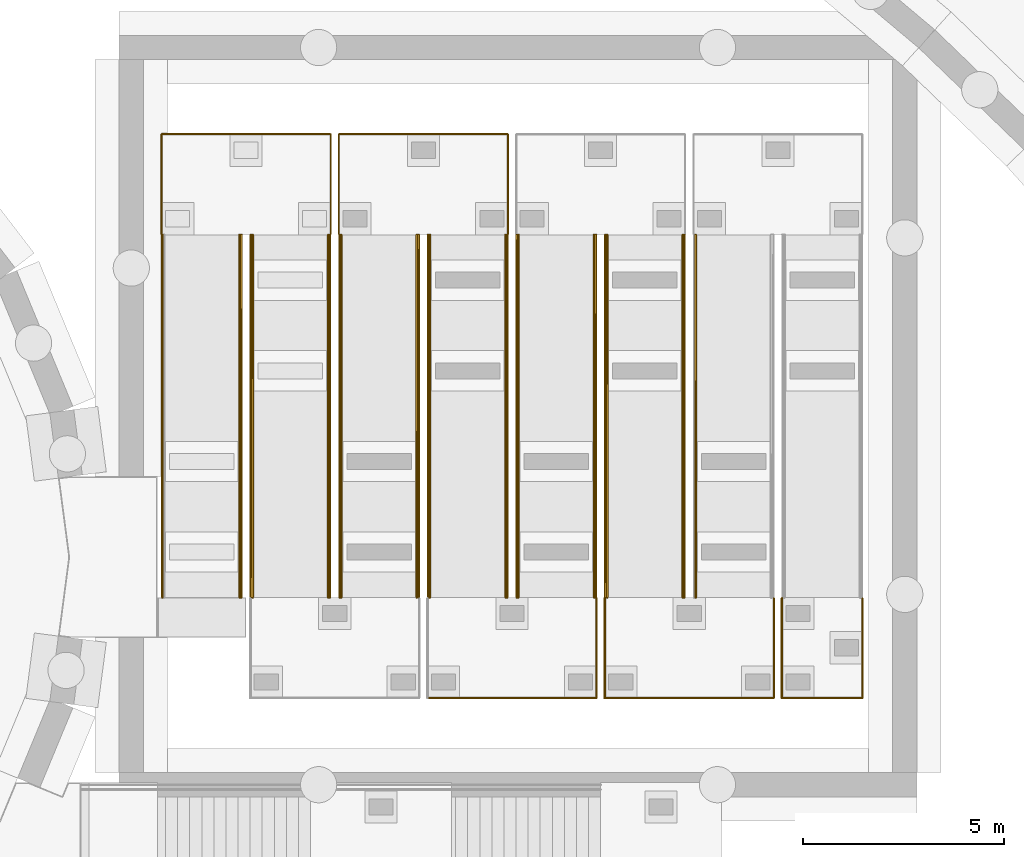
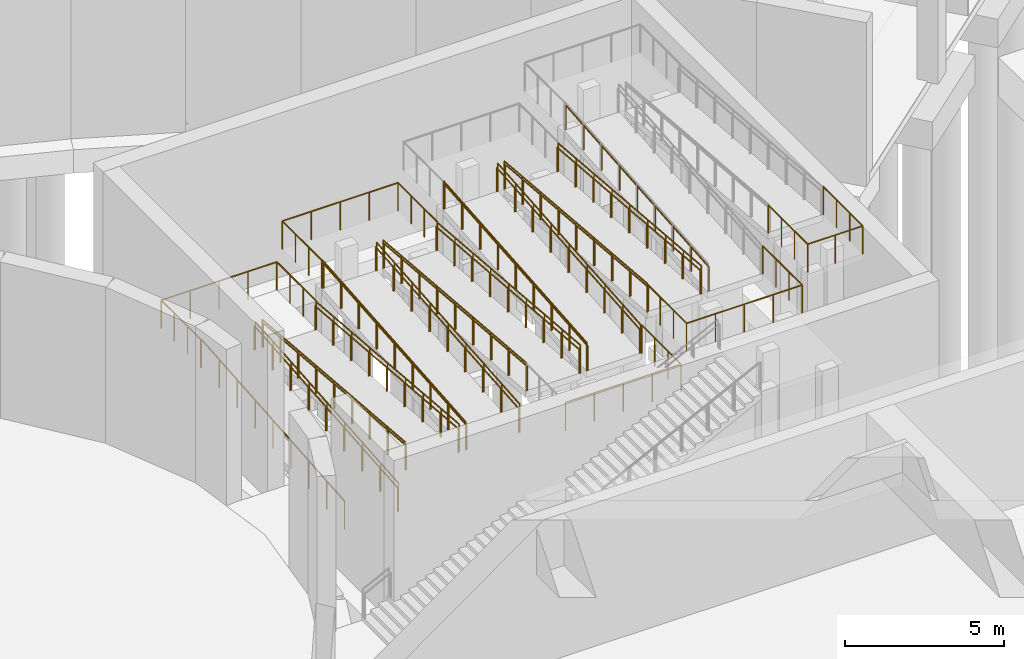
# One storey, part 39 of 66: 31 railings.
"""IFC4 building model written with IfcOpenShell, lengths in metres."""

from ifc_helpers import new_model, si_unit, direction, frame, origin, origin_2d, place, context, subcontext, project, spatial, circle, extrude, material, type_object, element, save


model = new_model("IFC4")

# Units and contexts
model_context = context("Model", 3, precision=1e-05, world=origin(), true_north=direction((0.0, 1.0)))
body_context = subcontext(model_context, "Body", "Model", "MODEL_VIEW")
ifc_project = project(units=[si_unit("LENGTHUNIT", "METRE"), si_unit("AREAUNIT", "SQUARE_METRE"), si_unit("VOLUMEUNIT", "CUBIC_METRE"), si_unit("PLANEANGLEUNIT", "RADIAN"), si_unit("MASSUNIT", "GRAM", prefix="KILO")], contexts=[model_context])

# Site, building, storey
site_placement = place(None, origin())
site = spatial("IfcSite", under=ifc_project, at=site_placement, CompositionType="ELEMENT")
building_placement = place(site_placement, origin())
building = spatial("IfcBuilding", under=site, at=building_placement, Name="Lunette Opera House", CompositionType="ELEMENT")
storey_placement = place(building_placement, frame((0.0, 0.0, -6.0)))
storey = spatial("IfcBuildingStorey", under=building, at=storey_placement, Name="B1", CompositionType="ELEMENT", Elevation=-6.0)

# Railings
ifc_material_1 = material(Name="Steel S355", Category="steel")
railing_type_1 = type_object("IfcRailingType", Name="RAMP GUARD 1100", PredefinedType="GUARDRAIL", material=ifc_material_1)
for number, where, name in (
    (1, (112.02001953125, 25.0, 0.0), "FR1 ramp guard 1"),
    (2, (113.97998046875, 25.0, 0.0), "FR1 ramp guard 2"),
):
    element("IfcRailing", number, at=place(storey_placement, frame(where)), inside=storey, type_object=railing_type_1, Name=name, PredefinedType="GUARDRAIL", context=body_context, shape_type="SweptSolid", body=[
        extrude(circle(Radius=0.02392578125, at=origin_2d()), frame((0.0, 0.0, 1.076171875), z_axis=(0.0, 0.996545758245, 0.083045479854), x_axis=(-1.0, 0.0, 0.0)), (0.0, 0.0, 1.0), 9.03125),
        extrude(circle(Radius=0.02099609375, at=origin_2d()), origin(), (0.0, 0.0, 1.0), 1.052001953125),
        extrude(circle(Radius=0.02099609375, at=origin_2d()), frame((0.0, 1.125, 0.09375)), (0.0, 0.0, 1.0), 1.052001953125),
        extrude(circle(Radius=0.02099609375, at=origin_2d()), frame((0.0, 2.25, 0.1875)), (0.0, 0.0, 1.0), 1.052001953125),
        extrude(circle(Radius=0.02099609375, at=origin_2d()), frame((0.0, 3.375, 0.28125)), (0.0, 0.0, 1.0), 1.052001953125),
        extrude(circle(Radius=0.02099609375, at=origin_2d()), frame((0.0, 4.5, 0.375)), (0.0, 0.0, 1.0), 1.052001953125),
        extrude(circle(Radius=0.02099609375, at=origin_2d()), frame((0.0, 5.625, 0.46875)), (0.0, 0.0, 1.0), 1.052001953125),
        extrude(circle(Radius=0.02099609375, at=origin_2d()), frame((0.0, 6.75, 0.5625)), (0.0, 0.0, 1.0), 1.052001953125),
        extrude(circle(Radius=0.02099609375, at=origin_2d()), frame((0.0, 7.875, 0.65625)), (0.0, 0.0, 1.0), 1.052001953125),
        extrude(circle(Radius=0.02099609375, at=origin_2d()), frame((0.0, 9.0, 0.75)), (0.0, 0.0, 1.0), 1.052001953125),
    ])
railing_1_placement = place(storey_placement, frame((116.199951171875, 34.02001953125, 0.75)))
element("IfcRailing", 3, at=railing_1_placement, inside=storey, type_object=railing_type_1, Name="FR1 landing guard 2", PredefinedType="GUARDRAIL", context=body_context, shape_type="SweptSolid", body=[
    extrude(circle(Radius=0.02392578125, at=origin_2d()), frame((0.0, 0.0, 1.076171875), z_axis=(0.0, 1.0, 0.0), x_axis=(-1.0, 0.0, 0.0)), (0.0, 0.0, 1.0), 2.47998046875),
    extrude(circle(Radius=0.02392578125, at=origin_2d()), frame((0.0, 2.47998046875, 1.076171875), z_axis=(-1.0, 0.0, 0.0), x_axis=(0.0, -1.0, 0.0)), (0.0, 0.0, 1.0), 4.199951171875),
    extrude(circle(Radius=0.02392578125, at=origin_2d()), frame((-4.199951171875, 2.47998046875, 1.076171875), z_axis=(0.0, -1.0, 0.0), x_axis=(1.0, 0.0, 0.0)), (0.0, 0.0, 1.0), 2.47998046875),
    extrude(circle(Radius=0.02099609375, at=origin_2d()), origin(), (0.0, 0.0, 1.0), 1.052001953125),
    extrude(circle(Radius=0.02099609375, at=origin_2d()), frame((0.0, 0.82666015625, 0.0)), (0.0, 0.0, 1.0), 1.052001953125),
    extrude(circle(Radius=0.02099609375, at=origin_2d()), frame((0.0, 1.6533203125, 0.0)), (0.0, 0.0, 1.0), 1.052001953125),
    extrude(circle(Radius=0.02099609375, at=origin_2d()), frame((0.0, 2.47998046875, 0.0)), (0.0, 0.0, 1.0), 1.052001953125),
    extrude(circle(Radius=0.02099609375, at=origin_2d()), frame((-1.050048828125, 2.47998046875, 0.0)), (0.0, 0.0, 1.0), 1.052001953125),
    extrude(circle(Radius=0.02099609375, at=origin_2d()), frame((-2.10009765625, 2.47998046875, 0.0)), (0.0, 0.0, 1.0), 1.052001953125),
    extrude(circle(Radius=0.02099609375, at=origin_2d()), frame((-3.14990234375, 2.47998046875, 0.0)), (0.0, 0.0, 1.0), 1.052001953125),
    extrude(circle(Radius=0.02099609375, at=origin_2d()), frame((-4.199951171875, 2.47998046875, 0.0)), (0.0, 0.0, 1.0), 1.052001953125),
    extrude(circle(Radius=0.02099609375, at=origin_2d()), frame((-4.199951171875, 1.6533203125, 0.0)), (0.0, 0.0, 1.0), 1.052001953125),
    extrude(circle(Radius=0.02099609375, at=origin_2d()), frame((-4.199951171875, 0.82666015625, 0.0)), (0.0, 0.0, 1.0), 1.052001953125),
    extrude(circle(Radius=0.02099609375, at=origin_2d()), frame((-4.199951171875, 0.0, 0.0)), (0.0, 0.0, 1.0), 1.052001953125),
])
for number, where, name in (
    (4, (114.219970703125, 34.0, 0.75), "FR2 ramp guard 1"),
    (5, (116.179931640625, 34.0, 0.75), "FR2 ramp guard 2"),
):
    element("IfcRailing", number, at=place(storey_placement, frame(where)), inside=storey, type_object=railing_type_1, Name=name, PredefinedType="GUARDRAIL", context=body_context, shape_type="SweptSolid", body=[
        extrude(circle(Radius=0.02392578125, at=origin_2d()), frame((0.0, 0.0, 1.076171875), z_axis=(0.0, -0.996545758245, 0.083045479854), x_axis=(1.0, 0.0, 0.0)), (0.0, 0.0, 1.0), 9.03125),
        extrude(circle(Radius=0.02099609375, at=origin_2d()), origin(), (0.0, 0.0, 1.0), 1.052001953125),
        extrude(circle(Radius=0.02099609375, at=origin_2d()), frame((0.0, -1.125, 0.09375)), (0.0, 0.0, 1.0), 1.052001953125),
        extrude(circle(Radius=0.02099609375, at=origin_2d()), frame((0.0, -2.25, 0.1875)), (0.0, 0.0, 1.0), 1.052001953125),
        extrude(circle(Radius=0.02099609375, at=origin_2d()), frame((0.0, -3.375, 0.28125)), (0.0, 0.0, 1.0), 1.052001953125),
        extrude(circle(Radius=0.02099609375, at=origin_2d()), frame((0.0, -4.5, 0.375)), (0.0, 0.0, 1.0), 1.052001953125),
        extrude(circle(Radius=0.02099609375, at=origin_2d()), frame((0.0, -5.625, 0.46875)), (0.0, 0.0, 1.0), 1.052001953125),
        extrude(circle(Radius=0.02099609375, at=origin_2d()), frame((0.0, -6.75, 0.5625)), (0.0, 0.0, 1.0), 1.052001953125),
        extrude(circle(Radius=0.02099609375, at=origin_2d()), frame((0.0, -7.875, 0.65625)), (0.0, 0.0, 1.0), 1.052001953125),
        extrude(circle(Radius=0.02099609375, at=origin_2d()), frame((0.0, -9.0, 0.75)), (0.0, 0.0, 1.0), 1.052001953125),
    ])
for number, where, name in (
    (6, (116.419921875, 25.0, 1.5), "FR3 ramp guard 1"),
    (7, (118.3798828125, 25.0, 1.5), "FR3 ramp guard 2"),
):
    element("IfcRailing", number, at=place(storey_placement, frame(where)), inside=storey, type_object=railing_type_1, Name=name, PredefinedType="GUARDRAIL", context=body_context, shape_type="SweptSolid", body=[
        extrude(circle(Radius=0.02392578125, at=origin_2d()), frame((0.0, 0.0, 1.076171875), z_axis=(0.0, 0.996545758245, 0.083045479854), x_axis=(-1.0, 0.0, 0.0)), (0.0, 0.0, 1.0), 9.03125),
        extrude(circle(Radius=0.02099609375, at=origin_2d()), origin(), (0.0, 0.0, 1.0), 1.052001953125),
        extrude(circle(Radius=0.02099609375, at=origin_2d()), frame((0.0, 1.125, 0.09375)), (0.0, 0.0, 1.0), 1.052001953125),
        extrude(circle(Radius=0.02099609375, at=origin_2d()), frame((0.0, 2.25, 0.1875)), (0.0, 0.0, 1.0), 1.052001953125),
        extrude(circle(Radius=0.02099609375, at=origin_2d()), frame((0.0, 3.375, 0.28125)), (0.0, 0.0, 1.0), 1.052001953125),
        extrude(circle(Radius=0.02099609375, at=origin_2d()), frame((0.0, 4.5, 0.375)), (0.0, 0.0, 1.0), 1.052001953125),
        extrude(circle(Radius=0.02099609375, at=origin_2d()), frame((0.0, 5.625, 0.46875)), (0.0, 0.0, 1.0), 1.052001953125),
        extrude(circle(Radius=0.02099609375, at=origin_2d()), frame((0.0, 6.75, 0.5625)), (0.0, 0.0, 1.0), 1.052001953125),
        extrude(circle(Radius=0.02099609375, at=origin_2d()), frame((0.0, 7.875, 0.65625)), (0.0, 0.0, 1.0), 1.052001953125),
        extrude(circle(Radius=0.02099609375, at=origin_2d()), frame((0.0, 9.0, 0.75)), (0.0, 0.0, 1.0), 1.052001953125),
    ])
railing_2_placement = place(storey_placement, frame((120.60009765625, 34.02001953125, 2.25)))
element("IfcRailing", 8, at=railing_2_placement, inside=storey, type_object=railing_type_1, Name="FR3 landing guard 2", PredefinedType="GUARDRAIL", context=body_context, shape_type="SweptSolid", body=[
    extrude(circle(Radius=0.02392578125, at=origin_2d()), frame((0.0, 0.0, 1.076171875), z_axis=(0.0, 1.0, 0.0), x_axis=(-1.0, 0.0, 0.0)), (0.0, 0.0, 1.0), 2.47998046875),
    extrude(circle(Radius=0.02392578125, at=origin_2d()), frame((0.0, 2.47998046875, 1.076171875), z_axis=(-1.0, 0.0, 0.0), x_axis=(0.0, -1.0, 0.0)), (0.0, 0.0, 1.0), 4.2001953125),
    extrude(circle(Radius=0.02392578125, at=origin_2d()), frame((-4.2001953125, 2.47998046875, 1.076171875), z_axis=(0.0, -1.0, 0.0), x_axis=(1.0, 0.0, 0.0)), (0.0, 0.0, 1.0), 2.47998046875),
    extrude(circle(Radius=0.02099609375, at=origin_2d()), origin(), (0.0, 0.0, 1.0), 1.052001953125),
    extrude(circle(Radius=0.02099609375, at=origin_2d()), frame((0.0, 0.82666015625, 0.0)), (0.0, 0.0, 1.0), 1.052001953125),
    extrude(circle(Radius=0.02099609375, at=origin_2d()), frame((0.0, 1.6533203125, 0.0)), (0.0, 0.0, 1.0), 1.052001953125),
    extrude(circle(Radius=0.02099609375, at=origin_2d()), frame((0.0, 2.47998046875, 0.0)), (0.0, 0.0, 1.0), 1.052001953125),
    extrude(circle(Radius=0.02099609375, at=origin_2d()), frame((-1.050048828125, 2.47998046875, 0.0)), (0.0, 0.0, 1.0), 1.052001953125),
    extrude(circle(Radius=0.02099609375, at=origin_2d()), frame((-2.10009765625, 2.47998046875, 0.0)), (0.0, 0.0, 1.0), 1.052001953125),
    extrude(circle(Radius=0.02099609375, at=origin_2d()), frame((-3.150146484375, 2.47998046875, 0.0)), (0.0, 0.0, 1.0), 1.052001953125),
    extrude(circle(Radius=0.02099609375, at=origin_2d()), frame((-4.2001953125, 2.47998046875, 0.0)), (0.0, 0.0, 1.0), 1.052001953125),
    extrude(circle(Radius=0.02099609375, at=origin_2d()), frame((-4.2001953125, 1.6533203125, 0.0)), (0.0, 0.0, 1.0), 1.052001953125),
    extrude(circle(Radius=0.02099609375, at=origin_2d()), frame((-4.2001953125, 0.82666015625, 0.0)), (0.0, 0.0, 1.0), 1.052001953125),
    extrude(circle(Radius=0.02099609375, at=origin_2d()), frame((-4.2001953125, 0.0, 0.0)), (0.0, 0.0, 1.0), 1.052001953125),
])
for number, where, name in (
    (9, (118.6201171875, 34.0, 2.25), "FR4 ramp guard 1"),
    (10, (120.580078125, 34.0, 2.25), "FR4 ramp guard 2"),
):
    element("IfcRailing", number, at=place(storey_placement, frame(where)), inside=storey, type_object=railing_type_1, Name=name, PredefinedType="GUARDRAIL", context=body_context, shape_type="SweptSolid", body=[
        extrude(circle(Radius=0.02392578125, at=origin_2d()), frame((0.0, 0.0, 1.076171875), z_axis=(0.0, -0.996545758245, 0.083045479854), x_axis=(1.0, 0.0, 0.0)), (0.0, 0.0, 1.0), 9.03125),
        extrude(circle(Radius=0.02099609375, at=origin_2d()), origin(), (0.0, 0.0, 1.0), 1.052001953125),
        extrude(circle(Radius=0.02099609375, at=origin_2d()), frame((0.0, -1.125, 0.09375)), (0.0, 0.0, 1.0), 1.052001953125),
        extrude(circle(Radius=0.02099609375, at=origin_2d()), frame((0.0, -2.25, 0.1875)), (0.0, 0.0, 1.0), 1.052001953125),
        extrude(circle(Radius=0.02099609375, at=origin_2d()), frame((0.0, -3.375, 0.28125)), (0.0, 0.0, 1.0), 1.052001953125),
        extrude(circle(Radius=0.02099609375, at=origin_2d()), frame((0.0, -4.5, 0.375)), (0.0, 0.0, 1.0), 1.052001953125),
        extrude(circle(Radius=0.02099609375, at=origin_2d()), frame((0.0, -5.625, 0.46875)), (0.0, 0.0, 1.0), 1.052001953125),
        extrude(circle(Radius=0.02099609375, at=origin_2d()), frame((0.0, -6.75, 0.5625)), (0.0, 0.0, 1.0), 1.052001953125),
        extrude(circle(Radius=0.02099609375, at=origin_2d()), frame((0.0, -7.875, 0.65625)), (0.0, 0.0, 1.0), 1.052001953125),
        extrude(circle(Radius=0.02099609375, at=origin_2d()), frame((0.0, -9.0, 0.75)), (0.0, 0.0, 1.0), 1.052001953125),
    ])
railing_3_placement = place(storey_placement, frame((118.60009765625, 22.5, 3.0)))
element("IfcRailing", 11, at=railing_3_placement, inside=storey, type_object=railing_type_1, Name="FR4 landing guard 1", PredefinedType="GUARDRAIL", context=body_context, shape_type="SweptSolid", body=[
    extrude(circle(Radius=0.02392578125, at=origin_2d()), frame((0.0, 0.0, 1.076171875), z_axis=(1.0, 0.0, 0.0), x_axis=(0.0, 1.0, 0.0)), (0.0, 0.0, 1.0), 4.199951171875),
    extrude(circle(Radius=0.02392578125, at=origin_2d()), frame((4.199951171875, 0.0, 1.076171875), z_axis=(0.0, 1.0, 0.0), x_axis=(-1.0, 0.0, 0.0)), (0.0, 0.0, 1.0), 2.47998046875),
    extrude(circle(Radius=0.02099609375, at=origin_2d()), origin(), (0.0, 0.0, 1.0), 1.052001953125),
    extrude(circle(Radius=0.02099609375, at=origin_2d()), frame((1.050048828125, 0.0, 0.0)), (0.0, 0.0, 1.0), 1.052001953125),
    extrude(circle(Radius=0.02099609375, at=origin_2d()), frame((2.10009765625, 0.0, 0.0)), (0.0, 0.0, 1.0), 1.052001953125),
    extrude(circle(Radius=0.02099609375, at=origin_2d()), frame((3.14990234375, 0.0, 0.0)), (0.0, 0.0, 1.0), 1.052001953125),
    extrude(circle(Radius=0.02099609375, at=origin_2d()), frame((4.199951171875, 0.0, 0.0)), (0.0, 0.0, 1.0), 1.052001953125),
    extrude(circle(Radius=0.02099609375, at=origin_2d()), frame((4.199951171875, 0.82666015625, 0.0)), (0.0, 0.0, 1.0), 1.052001953125),
    extrude(circle(Radius=0.02099609375, at=origin_2d()), frame((4.199951171875, 1.6533203125, 0.0)), (0.0, 0.0, 1.0), 1.052001953125),
    extrude(circle(Radius=0.02099609375, at=origin_2d()), frame((4.199951171875, 2.47998046875, 0.0)), (0.0, 0.0, 1.0), 1.052001953125),
])
for number, where, name in (
    (12, (120.820068359375, 25.0, 3.0), "FR5 ramp guard 1"),
    (13, (122.780029296875, 25.0, 3.0), "FR5 ramp guard 2"),
):
    element("IfcRailing", number, at=place(storey_placement, frame(where)), inside=storey, type_object=railing_type_1, Name=name, PredefinedType="GUARDRAIL", context=body_context, shape_type="SweptSolid", body=[
        extrude(circle(Radius=0.02392578125, at=origin_2d()), frame((0.0, 0.0, 1.076171875), z_axis=(0.0, 0.996545758245, 0.083045479854), x_axis=(-1.0, 0.0, 0.0)), (0.0, 0.0, 1.0), 9.03125),
        extrude(circle(Radius=0.02099609375, at=origin_2d()), origin(), (0.0, 0.0, 1.0), 1.052001953125),
        extrude(circle(Radius=0.02099609375, at=origin_2d()), frame((0.0, 1.125, 0.09375)), (0.0, 0.0, 1.0), 1.052001953125),
        extrude(circle(Radius=0.02099609375, at=origin_2d()), frame((0.0, 2.25, 0.1875)), (0.0, 0.0, 1.0), 1.052001953125),
        extrude(circle(Radius=0.02099609375, at=origin_2d()), frame((0.0, 3.375, 0.28125)), (0.0, 0.0, 1.0), 1.052001953125),
        extrude(circle(Radius=0.02099609375, at=origin_2d()), frame((0.0, 4.5, 0.375)), (0.0, 0.0, 1.0), 1.052001953125),
        extrude(circle(Radius=0.02099609375, at=origin_2d()), frame((0.0, 5.625, 0.46875)), (0.0, 0.0, 1.0), 1.052001953125),
        extrude(circle(Radius=0.02099609375, at=origin_2d()), frame((0.0, 6.75, 0.5625)), (0.0, 0.0, 1.0), 1.052001953125),
        extrude(circle(Radius=0.02099609375, at=origin_2d()), frame((0.0, 7.875, 0.65625)), (0.0, 0.0, 1.0), 1.052001953125),
        extrude(circle(Radius=0.02099609375, at=origin_2d()), frame((0.0, 9.0, 0.75)), (0.0, 0.0, 1.0), 1.052001953125),
    ])
for number, where, name in (
    (14, (123.02001953125, 34.0, 3.75), "FR6 ramp guard 1"),
    (15, (124.97998046875, 34.0, 3.75), "FR6 ramp guard 2"),
):
    element("IfcRailing", number, at=place(storey_placement, frame(where)), inside=storey, type_object=railing_type_1, Name=name, PredefinedType="GUARDRAIL", context=body_context, shape_type="SweptSolid", body=[
        extrude(circle(Radius=0.02392578125, at=origin_2d()), frame((0.0, 0.0, 1.076171875), z_axis=(0.0, -0.996545758245, 0.083045479854), x_axis=(1.0, 0.0, 0.0)), (0.0, 0.0, 1.0), 9.03125),
        extrude(circle(Radius=0.02099609375, at=origin_2d()), origin(), (0.0, 0.0, 1.0), 1.052001953125),
        extrude(circle(Radius=0.02099609375, at=origin_2d()), frame((0.0, -1.125, 0.09375)), (0.0, 0.0, 1.0), 1.052001953125),
        extrude(circle(Radius=0.02099609375, at=origin_2d()), frame((0.0, -2.25, 0.1875)), (0.0, 0.0, 1.0), 1.052001953125),
        extrude(circle(Radius=0.02099609375, at=origin_2d()), frame((0.0, -3.375, 0.28125)), (0.0, 0.0, 1.0), 1.052001953125),
        extrude(circle(Radius=0.02099609375, at=origin_2d()), frame((0.0, -4.5, 0.375)), (0.0, 0.0, 1.0), 1.052001953125),
        extrude(circle(Radius=0.02099609375, at=origin_2d()), frame((0.0, -5.625, 0.46875)), (0.0, 0.0, 1.0), 1.052001953125),
        extrude(circle(Radius=0.02099609375, at=origin_2d()), frame((0.0, -6.75, 0.5625)), (0.0, 0.0, 1.0), 1.052001953125),
        extrude(circle(Radius=0.02099609375, at=origin_2d()), frame((0.0, -7.875, 0.65625)), (0.0, 0.0, 1.0), 1.052001953125),
        extrude(circle(Radius=0.02099609375, at=origin_2d()), frame((0.0, -9.0, 0.75)), (0.0, 0.0, 1.0), 1.052001953125),
    ])
railing_4_placement = place(storey_placement, frame((123.0, 22.5, 4.5)))
element("IfcRailing", 16, at=railing_4_placement, inside=storey, type_object=railing_type_1, Name="FR6 landing guard 1", PredefinedType="GUARDRAIL", context=body_context, shape_type="SweptSolid", body=[
    extrude(circle(Radius=0.02392578125, at=origin_2d()), frame((0.0, 0.0, 1.076171875), z_axis=(1.0, 0.0, 0.0), x_axis=(0.0, 1.0, 0.0)), (0.0, 0.0, 1.0), 4.199951171875),
    extrude(circle(Radius=0.02392578125, at=origin_2d()), frame((4.199951171875, 0.0, 1.076171875), z_axis=(0.0, 1.0, 0.0), x_axis=(-1.0, 0.0, 0.0)), (0.0, 0.0, 1.0), 2.47998046875),
    extrude(circle(Radius=0.02099609375, at=origin_2d()), origin(), (0.0, 0.0, 1.0), 1.052001953125),
    extrude(circle(Radius=0.02099609375, at=origin_2d()), frame((1.050048828125, 0.0, 0.0)), (0.0, 0.0, 1.0), 1.052001953125),
    extrude(circle(Radius=0.02099609375, at=origin_2d()), frame((2.10009765625, 0.0, 0.0)), (0.0, 0.0, 1.0), 1.052001953125),
    extrude(circle(Radius=0.02099609375, at=origin_2d()), frame((3.14990234375, 0.0, 0.0)), (0.0, 0.0, 1.0), 1.052001953125),
    extrude(circle(Radius=0.02099609375, at=origin_2d()), frame((4.199951171875, 0.0, 0.0)), (0.0, 0.0, 1.0), 1.052001953125),
    extrude(circle(Radius=0.02099609375, at=origin_2d()), frame((4.199951171875, 0.82666015625, 0.0)), (0.0, 0.0, 1.0), 1.052001953125),
    extrude(circle(Radius=0.02099609375, at=origin_2d()), frame((4.199951171875, 1.6533203125, 0.0)), (0.0, 0.0, 1.0), 1.052001953125),
    extrude(circle(Radius=0.02099609375, at=origin_2d()), frame((4.199951171875, 2.47998046875, 0.0)), (0.0, 0.0, 1.0), 1.052001953125),
])
railing_5_placement = place(storey_placement, frame((123.0, 24.97998046875, 4.5)))
element("IfcRailing", 17, at=railing_5_placement, inside=storey, type_object=railing_type_1, Name="FR6 landing guard 3", PredefinedType="GUARDRAIL", context=body_context, shape_type="SweptSolid", body=[
    extrude(circle(Radius=0.02392578125, at=origin_2d()), frame((0.0, 0.0, 1.076171875), z_axis=(0.0, -1.0, 0.0), x_axis=(1.0, 0.0, 0.0)), (0.0, 0.0, 1.0), 2.47998046875),
    extrude(circle(Radius=0.02099609375, at=origin_2d()), origin(), (0.0, 0.0, 1.0), 1.052001953125),
    extrude(circle(Radius=0.02099609375, at=origin_2d()), frame((0.0, -0.82666015625, 0.0)), (0.0, 0.0, 1.0), 1.052001953125),
    extrude(circle(Radius=0.02099609375, at=origin_2d()), frame((0.0, -1.6533203125, 0.0)), (0.0, 0.0, 1.0), 1.052001953125),
    extrude(circle(Radius=0.02099609375, at=origin_2d()), frame((0.0, -2.47998046875, 0.0)), (0.0, 0.0, 1.0), 1.052001953125),
])
railing_6_placement = place(storey_placement, frame((127.39990234375, 22.5, 6.0)))
element("IfcRailing", 18, at=railing_6_placement, inside=storey, type_object=railing_type_1, Name="FR8 landing guard 1", PredefinedType="GUARDRAIL", context=body_context, shape_type="SweptSolid", body=[
    extrude(circle(Radius=0.02392578125, at=origin_2d()), frame((0.0, 0.0, 1.076171875), z_axis=(1.0, 0.0, 0.0), x_axis=(0.0, 1.0, 0.0)), (0.0, 0.0, 1.0), 2.0),
    extrude(circle(Radius=0.02392578125, at=origin_2d()), frame((2.0, 0.0, 1.076171875), z_axis=(0.0, 1.0, 0.0), x_axis=(-1.0, 0.0, 0.0)), (0.0, 0.0, 1.0), 2.47998046875),
    extrude(circle(Radius=0.02099609375, at=origin_2d()), origin(), (0.0, 0.0, 1.0), 1.052001953125),
    extrude(circle(Radius=0.02099609375, at=origin_2d()), frame((1.0, 0.0, 0.0)), (0.0, 0.0, 1.0), 1.052001953125),
    extrude(circle(Radius=0.02099609375, at=origin_2d()), frame((2.0, 0.0, 0.0)), (0.0, 0.0, 1.0), 1.052001953125),
    extrude(circle(Radius=0.02099609375, at=origin_2d()), frame((2.0, 0.82666015625, 0.0)), (0.0, 0.0, 1.0), 1.052001953125),
    extrude(circle(Radius=0.02099609375, at=origin_2d()), frame((2.0, 1.6533203125, 0.0)), (0.0, 0.0, 1.0), 1.052001953125),
    extrude(circle(Radius=0.02099609375, at=origin_2d()), frame((2.0, 2.47998046875, 0.0)), (0.0, 0.0, 1.0), 1.052001953125),
])
railing_7_placement = place(storey_placement, frame((127.39990234375, 24.97998046875, 6.0)))
element("IfcRailing", 19, at=railing_7_placement, inside=storey, type_object=railing_type_1, Name="FR8 landing guard 2", PredefinedType="GUARDRAIL", context=body_context, shape_type="SweptSolid", body=[
    extrude(circle(Radius=0.02392578125, at=origin_2d()), frame((0.0, 0.0, 1.076171875), z_axis=(0.0, -1.0, 0.0), x_axis=(1.0, 0.0, 0.0)), (0.0, 0.0, 1.0), 2.47998046875),
    extrude(circle(Radius=0.02099609375, at=origin_2d()), origin(), (0.0, 0.0, 1.0), 1.052001953125),
    extrude(circle(Radius=0.02099609375, at=origin_2d()), frame((0.0, -0.82666015625, 0.0)), (0.0, 0.0, 1.0), 1.052001953125),
    extrude(circle(Radius=0.02099609375, at=origin_2d()), frame((0.0, -1.6533203125, 0.0)), (0.0, 0.0, 1.0), 1.052001953125),
    extrude(circle(Radius=0.02099609375, at=origin_2d()), frame((0.0, -2.47998046875, 0.0)), (0.0, 0.0, 1.0), 1.052001953125),
])
ifc_material_2 = material(Name="Steel S355", Category="steel")
railing_type_2 = type_object("IfcRailingType", Name="RAMP HANDRAIL 950", PredefinedType="HANDRAIL", material=ifc_material_2)
railing_8_placement = place(storey_placement, frame((113.93994140625, 25.0, 0.0)))
element("IfcRailing", 20, at=railing_8_placement, inside=storey, type_object=railing_type_2, Name="FR1 ramp handrail 2", PredefinedType="HANDRAIL", context=body_context, shape_type="SweptSolid", body=[
    extrude(circle(Radius=0.02392578125, at=origin_2d()), frame((0.0, 0.0, 0.92578125), z_axis=(0.0, 0.996545758245, 0.083045479854), x_axis=(-1.0, 0.0, 0.0)), (0.0, 0.0, 1.0), 9.03125),
    extrude(circle(Radius=0.02099609375, at=origin_2d()), origin(), (0.0, 0.0, 1.0), 0.90185546875),
    extrude(circle(Radius=0.02099609375, at=origin_2d()), frame((0.0, 1.125, 0.09375)), (0.0, 0.0, 1.0), 0.90185546875),
    extrude(circle(Radius=0.02099609375, at=origin_2d()), frame((0.0, 2.25, 0.1875)), (0.0, 0.0, 1.0), 0.90185546875),
    extrude(circle(Radius=0.02099609375, at=origin_2d()), frame((0.0, 3.375, 0.28125)), (0.0, 0.0, 1.0), 0.90185546875),
    extrude(circle(Radius=0.02099609375, at=origin_2d()), frame((0.0, 4.5, 0.375)), (0.0, 0.0, 1.0), 0.90185546875),
    extrude(circle(Radius=0.02099609375, at=origin_2d()), frame((0.0, 5.625, 0.46875)), (0.0, 0.0, 1.0), 0.90185546875),
    extrude(circle(Radius=0.02099609375, at=origin_2d()), frame((0.0, 6.75, 0.5625)), (0.0, 0.0, 1.0), 0.90185546875),
    extrude(circle(Radius=0.02099609375, at=origin_2d()), frame((0.0, 7.875, 0.65625)), (0.0, 0.0, 1.0), 0.90185546875),
    extrude(circle(Radius=0.02099609375, at=origin_2d()), frame((0.0, 9.0, 0.75)), (0.0, 0.0, 1.0), 0.90185546875),
])
for number, where, name in (
    (21, (114.260009765625, 34.0, 0.75), "FR2 ramp handrail 1"),
    (22, (116.139892578125, 34.0, 0.75), "FR2 ramp handrail 2"),
):
    element("IfcRailing", number, at=place(storey_placement, frame(where)), inside=storey, type_object=railing_type_2, Name=name, PredefinedType="HANDRAIL", context=body_context, shape_type="SweptSolid", body=[
        extrude(circle(Radius=0.02392578125, at=origin_2d()), frame((0.0, 0.0, 0.92578125), z_axis=(0.0, -0.996545758245, 0.083045479854), x_axis=(1.0, 0.0, 0.0)), (0.0, 0.0, 1.0), 9.03125),
        extrude(circle(Radius=0.02099609375, at=origin_2d()), origin(), (0.0, 0.0, 1.0), 0.90185546875),
        extrude(circle(Radius=0.02099609375, at=origin_2d()), frame((0.0, -1.125, 0.09375)), (0.0, 0.0, 1.0), 0.90185546875),
        extrude(circle(Radius=0.02099609375, at=origin_2d()), frame((0.0, -2.25, 0.1875)), (0.0, 0.0, 1.0), 0.90185546875),
        extrude(circle(Radius=0.02099609375, at=origin_2d()), frame((0.0, -3.375, 0.28125)), (0.0, 0.0, 1.0), 0.90185546875),
        extrude(circle(Radius=0.02099609375, at=origin_2d()), frame((0.0, -4.5, 0.375)), (0.0, 0.0, 1.0), 0.90185546875),
        extrude(circle(Radius=0.02099609375, at=origin_2d()), frame((0.0, -5.625, 0.46875)), (0.0, 0.0, 1.0), 0.90185546875),
        extrude(circle(Radius=0.02099609375, at=origin_2d()), frame((0.0, -6.75, 0.5625)), (0.0, 0.0, 1.0), 0.90185546875),
        extrude(circle(Radius=0.02099609375, at=origin_2d()), frame((0.0, -7.875, 0.65625)), (0.0, 0.0, 1.0), 0.90185546875),
        extrude(circle(Radius=0.02099609375, at=origin_2d()), frame((0.0, -9.0, 0.75)), (0.0, 0.0, 1.0), 0.90185546875),
    ])
for number, where, name in (
    (23, (116.4599609375, 25.0, 1.5), "FR3 ramp handrail 1"),
    (24, (118.340087890625, 25.0, 1.5), "FR3 ramp handrail 2"),
):
    element("IfcRailing", number, at=place(storey_placement, frame(where)), inside=storey, type_object=railing_type_2, Name=name, PredefinedType="HANDRAIL", context=body_context, shape_type="SweptSolid", body=[
        extrude(circle(Radius=0.02392578125, at=origin_2d()), frame((0.0, 0.0, 0.92578125), z_axis=(0.0, 0.996545758245, 0.083045479854), x_axis=(-1.0, 0.0, 0.0)), (0.0, 0.0, 1.0), 9.03125),
        extrude(circle(Radius=0.02099609375, at=origin_2d()), origin(), (0.0, 0.0, 1.0), 0.90185546875),
        extrude(circle(Radius=0.02099609375, at=origin_2d()), frame((0.0, 1.125, 0.09375)), (0.0, 0.0, 1.0), 0.90185546875),
        extrude(circle(Radius=0.02099609375, at=origin_2d()), frame((0.0, 2.25, 0.1875)), (0.0, 0.0, 1.0), 0.90185546875),
        extrude(circle(Radius=0.02099609375, at=origin_2d()), frame((0.0, 3.375, 0.28125)), (0.0, 0.0, 1.0), 0.90185546875),
        extrude(circle(Radius=0.02099609375, at=origin_2d()), frame((0.0, 4.5, 0.375)), (0.0, 0.0, 1.0), 0.90185546875),
        extrude(circle(Radius=0.02099609375, at=origin_2d()), frame((0.0, 5.625, 0.46875)), (0.0, 0.0, 1.0), 0.90185546875),
        extrude(circle(Radius=0.02099609375, at=origin_2d()), frame((0.0, 6.75, 0.5625)), (0.0, 0.0, 1.0), 0.90185546875),
        extrude(circle(Radius=0.02099609375, at=origin_2d()), frame((0.0, 7.875, 0.65625)), (0.0, 0.0, 1.0), 0.90185546875),
        extrude(circle(Radius=0.02099609375, at=origin_2d()), frame((0.0, 9.0, 0.75)), (0.0, 0.0, 1.0), 0.90185546875),
    ])
for number, where, name in (
    (25, (118.659912109375, 34.0, 2.25), "FR4 ramp handrail 1"),
    (26, (120.5400390625, 34.0, 2.25), "FR4 ramp handrail 2"),
):
    element("IfcRailing", number, at=place(storey_placement, frame(where)), inside=storey, type_object=railing_type_2, Name=name, PredefinedType="HANDRAIL", context=body_context, shape_type="SweptSolid", body=[
        extrude(circle(Radius=0.02392578125, at=origin_2d()), frame((0.0, 0.0, 0.92578125), z_axis=(0.0, -0.996545758245, 0.083045479854), x_axis=(1.0, 0.0, 0.0)), (0.0, 0.0, 1.0), 9.03125),
        extrude(circle(Radius=0.02099609375, at=origin_2d()), origin(), (0.0, 0.0, 1.0), 0.90185546875),
        extrude(circle(Radius=0.02099609375, at=origin_2d()), frame((0.0, -1.125, 0.09375)), (0.0, 0.0, 1.0), 0.90185546875),
        extrude(circle(Radius=0.02099609375, at=origin_2d()), frame((0.0, -2.25, 0.1875)), (0.0, 0.0, 1.0), 0.90185546875),
        extrude(circle(Radius=0.02099609375, at=origin_2d()), frame((0.0, -3.375, 0.28125)), (0.0, 0.0, 1.0), 0.90185546875),
        extrude(circle(Radius=0.02099609375, at=origin_2d()), frame((0.0, -4.5, 0.375)), (0.0, 0.0, 1.0), 0.90185546875),
        extrude(circle(Radius=0.02099609375, at=origin_2d()), frame((0.0, -5.625, 0.46875)), (0.0, 0.0, 1.0), 0.90185546875),
        extrude(circle(Radius=0.02099609375, at=origin_2d()), frame((0.0, -6.75, 0.5625)), (0.0, 0.0, 1.0), 0.90185546875),
        extrude(circle(Radius=0.02099609375, at=origin_2d()), frame((0.0, -7.875, 0.65625)), (0.0, 0.0, 1.0), 0.90185546875),
        extrude(circle(Radius=0.02099609375, at=origin_2d()), frame((0.0, -9.0, 0.75)), (0.0, 0.0, 1.0), 0.90185546875),
    ])
for number, where, name in (
    (27, (120.860107421875, 25.0, 3.0), "FR5 ramp handrail 1"),
    (28, (122.739990234375, 25.0, 3.0), "FR5 ramp handrail 2"),
):
    element("IfcRailing", number, at=place(storey_placement, frame(where)), inside=storey, type_object=railing_type_2, Name=name, PredefinedType="HANDRAIL", context=body_context, shape_type="SweptSolid", body=[
        extrude(circle(Radius=0.02392578125, at=origin_2d()), frame((0.0, 0.0, 0.92578125), z_axis=(0.0, 0.996545758245, 0.083045479854), x_axis=(-1.0, 0.0, 0.0)), (0.0, 0.0, 1.0), 9.03125),
        extrude(circle(Radius=0.02099609375, at=origin_2d()), origin(), (0.0, 0.0, 1.0), 0.90185546875),
        extrude(circle(Radius=0.02099609375, at=origin_2d()), frame((0.0, 1.125, 0.09375)), (0.0, 0.0, 1.0), 0.90185546875),
        extrude(circle(Radius=0.02099609375, at=origin_2d()), frame((0.0, 2.25, 0.1875)), (0.0, 0.0, 1.0), 0.90185546875),
        extrude(circle(Radius=0.02099609375, at=origin_2d()), frame((0.0, 3.375, 0.28125)), (0.0, 0.0, 1.0), 0.90185546875),
        extrude(circle(Radius=0.02099609375, at=origin_2d()), frame((0.0, 4.5, 0.375)), (0.0, 0.0, 1.0), 0.90185546875),
        extrude(circle(Radius=0.02099609375, at=origin_2d()), frame((0.0, 5.625, 0.46875)), (0.0, 0.0, 1.0), 0.90185546875),
        extrude(circle(Radius=0.02099609375, at=origin_2d()), frame((0.0, 6.75, 0.5625)), (0.0, 0.0, 1.0), 0.90185546875),
        extrude(circle(Radius=0.02099609375, at=origin_2d()), frame((0.0, 7.875, 0.65625)), (0.0, 0.0, 1.0), 0.90185546875),
        extrude(circle(Radius=0.02099609375, at=origin_2d()), frame((0.0, 9.0, 0.75)), (0.0, 0.0, 1.0), 0.90185546875),
    ])
for number, where, name in (
    (29, (123.06005859375, 34.0, 3.75), "FR6 ramp handrail 1"),
    (30, (124.93994140625, 34.0, 3.75), "FR6 ramp handrail 2"),
):
    element("IfcRailing", number, at=place(storey_placement, frame(where)), inside=storey, type_object=railing_type_2, Name=name, PredefinedType="HANDRAIL", context=body_context, shape_type="SweptSolid", body=[
        extrude(circle(Radius=0.02392578125, at=origin_2d()), frame((0.0, 0.0, 0.92578125), z_axis=(0.0, -0.996545758245, 0.083045479854), x_axis=(1.0, 0.0, 0.0)), (0.0, 0.0, 1.0), 9.03125),
        extrude(circle(Radius=0.02099609375, at=origin_2d()), origin(), (0.0, 0.0, 1.0), 0.90185546875),
        extrude(circle(Radius=0.02099609375, at=origin_2d()), frame((0.0, -1.125, 0.09375)), (0.0, 0.0, 1.0), 0.90185546875),
        extrude(circle(Radius=0.02099609375, at=origin_2d()), frame((0.0, -2.25, 0.1875)), (0.0, 0.0, 1.0), 0.90185546875),
        extrude(circle(Radius=0.02099609375, at=origin_2d()), frame((0.0, -3.375, 0.28125)), (0.0, 0.0, 1.0), 0.90185546875),
        extrude(circle(Radius=0.02099609375, at=origin_2d()), frame((0.0, -4.5, 0.375)), (0.0, 0.0, 1.0), 0.90185546875),
        extrude(circle(Radius=0.02099609375, at=origin_2d()), frame((0.0, -5.625, 0.46875)), (0.0, 0.0, 1.0), 0.90185546875),
        extrude(circle(Radius=0.02099609375, at=origin_2d()), frame((0.0, -6.75, 0.5625)), (0.0, 0.0, 1.0), 0.90185546875),
        extrude(circle(Radius=0.02099609375, at=origin_2d()), frame((0.0, -7.875, 0.65625)), (0.0, 0.0, 1.0), 0.90185546875),
        extrude(circle(Radius=0.02099609375, at=origin_2d()), frame((0.0, -9.0, 0.75)), (0.0, 0.0, 1.0), 0.90185546875),
    ])
railing_9_placement = place(storey_placement, frame((125.260009765625, 25.0, 4.5)))
element("IfcRailing", 31, at=railing_9_placement, inside=storey, type_object=railing_type_2, Name="FR7 ramp handrail 1", PredefinedType="HANDRAIL", context=body_context, shape_type="SweptSolid", body=[
    extrude(circle(Radius=0.02392578125, at=origin_2d()), frame((0.0, 0.0, 0.92578125), z_axis=(0.0, 0.996545758245, 0.083045479854), x_axis=(-1.0, 0.0, 0.0)), (0.0, 0.0, 1.0), 9.03125),
    extrude(circle(Radius=0.02099609375, at=origin_2d()), origin(), (0.0, 0.0, 1.0), 0.90185546875),
    extrude(circle(Radius=0.02099609375, at=origin_2d()), frame((0.0, 1.125, 0.09375)), (0.0, 0.0, 1.0), 0.90185546875),
    extrude(circle(Radius=0.02099609375, at=origin_2d()), frame((0.0, 2.25, 0.1875)), (0.0, 0.0, 1.0), 0.90185546875),
    extrude(circle(Radius=0.02099609375, at=origin_2d()), frame((0.0, 3.375, 0.28125)), (0.0, 0.0, 1.0), 0.90185546875),
    extrude(circle(Radius=0.02099609375, at=origin_2d()), frame((0.0, 4.5, 0.375)), (0.0, 0.0, 1.0), 0.90185546875),
    extrude(circle(Radius=0.02099609375, at=origin_2d()), frame((0.0, 5.625, 0.46875)), (0.0, 0.0, 1.0), 0.90185546875),
    extrude(circle(Radius=0.02099609375, at=origin_2d()), frame((0.0, 6.75, 0.5625)), (0.0, 0.0, 1.0), 0.90185546875),
    extrude(circle(Radius=0.02099609375, at=origin_2d()), frame((0.0, 7.875, 0.65625)), (0.0, 0.0, 1.0), 0.90185546875),
    extrude(circle(Radius=0.02099609375, at=origin_2d()), frame((0.0, 9.0, 0.75)), (0.0, 0.0, 1.0), 0.90185546875),
])

save(model, "model.ifc")
